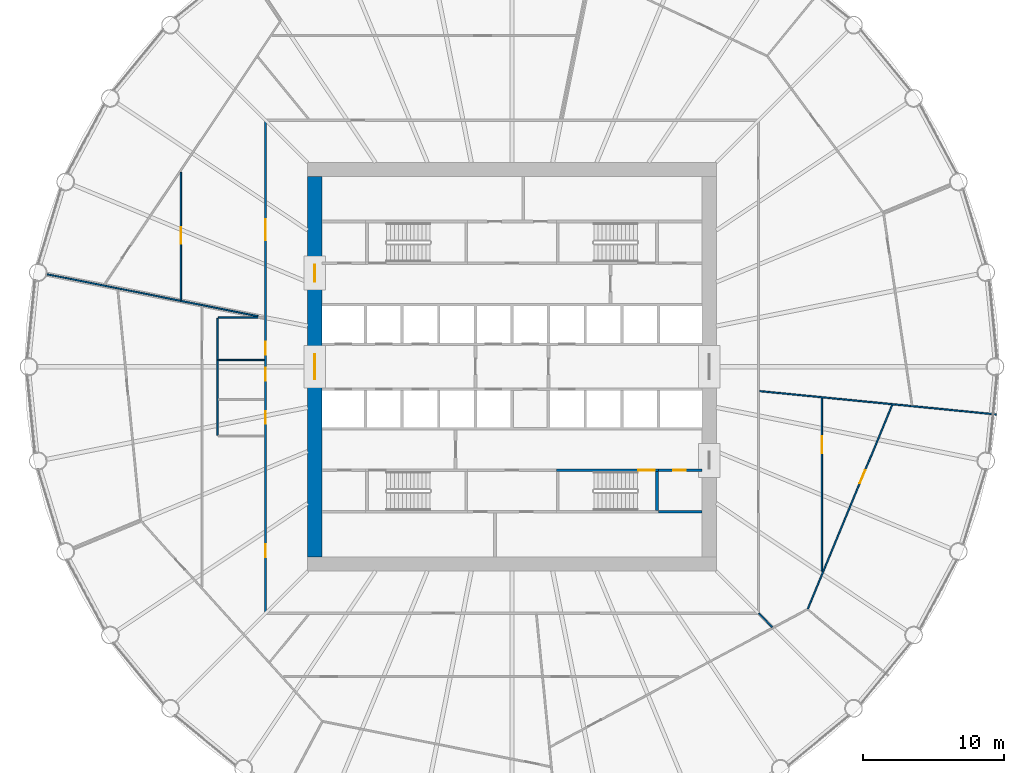
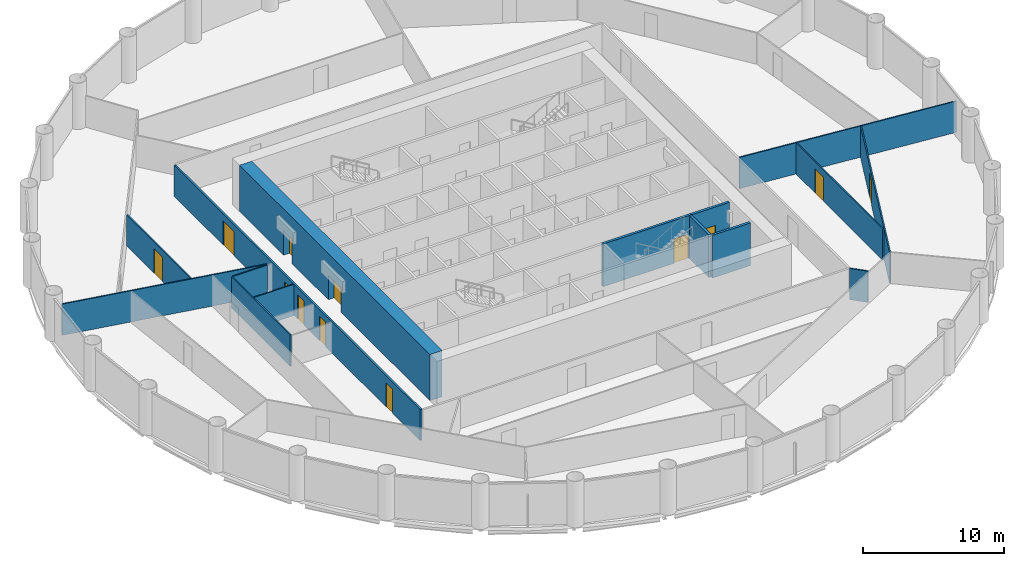
# One storey, part 5 of 9: 15 walls, 12 doors, 12 openings.
"""IFC4 building model written with IfcOpenShell, lengths in metres."""

import ifcopenshell
import ifcopenshell.guid

model = None  # the IFC model being written
_history = None  # IfcOwnerHistory: only IFC2X3 demands one
_inside = {}  # id of a spatial element -> (the spatial element, [elements in it])
_under = {}  # id of a project, library or spatial element -> (it, [spatial elements below it])
_declared = {}  # id of a project -> (the project, [libraries it declares])
_typed = {}  # id of a type object -> (the type object, [elements of that type])
_made_of = {}  # id of a material, layer set ... -> (it, [elements and type objects made of it])


def new_model(schema):
    """Start an empty IFC model of exactly this schema.

    Asked for "IFC4X3", IfcOpenShell would pick the latest addendum, in which some entities
    have other attributes; the version numbers below select the first issue.
    IFC2X3 requires an IfcOwnerHistory on every rooted entity: one is made here for all.
    """
    global model, _history
    if schema == "IFC4X3":
        model = ifcopenshell.file(schema_version=(4, 3, 0, 0))
    else:
        model = ifcopenshell.file(schema=schema)
    _inside.clear()
    _under.clear()
    _declared.clear()
    _typed.clear()
    _made_of.clear()
    _history = None
    if model.schema == "IFC2X3":
        org = make("IfcOrganization", Name="unknown")
        user = make(
            "IfcPersonAndOrganization",
            ThePerson=make("IfcPerson", FamilyName="unknown"),
            TheOrganization=org,
        )
        app = make(
            "IfcApplication",
            ApplicationDeveloper=org,
            Version="unknown",
            ApplicationFullName="unknown",
            ApplicationIdentifier="unknown",
        )
        _history = make(
            "IfcOwnerHistory",
            OwningUser=user,
            OwningApplication=app,
            ChangeAction="ADDED",
            CreationDate=0,
        )
    return model


def make(cls, **values):
    """One entity of the class cls with the attributes given. An attribute that is None is left unset."""
    return model.create_entity(
        cls, **{name: value for name, value in values.items() if value is not None}
    )


def rooted(cls, **values):
    """An entity with a GlobalId (a new one), such as an element, a storey or a relation."""
    return make(cls, GlobalId=ifcopenshell.guid.new(), OwnerHistory=_history, **values)


def si_unit(unit_type, name, prefix=None):
    """IfcSIUnit, for example si_unit("LENGTHUNIT", "METRE", prefix="MILLI")."""
    return make("IfcSIUnit", UnitType=unit_type, Prefix=prefix, Name=name)


def assignment(units):
    """IfcUnitAssignment: the units of a project."""
    return None if units is None else make("IfcUnitAssignment", Units=units)


def point(xyz):
    """IfcCartesianPoint."""
    return None if xyz is None else make("IfcCartesianPoint", Coordinates=xyz)


def direction(xyz):
    """IfcDirection."""
    return None if xyz is None else make("IfcDirection", DirectionRatios=xyz)


def frame(location, z_axis=None, x_axis=None):
    """IfcAxis2Placement3D, a coordinate frame: its origin and axes. An axis left out is left unset."""
    return make(
        "IfcAxis2Placement3D",
        Location=point(location),
        Axis=direction(z_axis),
        RefDirection=direction(x_axis),
    )


def frame_2d(location, x_axis=None):
    """IfcAxis2Placement2D, a coordinate frame in the plane: its origin and x axis."""
    return make(
        "IfcAxis2Placement2D", Location=point(location), RefDirection=direction(x_axis)
    )


def origin():
    """The frame at (0, 0, 0) with its axes left unset."""
    return frame((0.0, 0.0, 0.0))


def place(relative_to, where):
    """IfcLocalPlacement: puts the frame where relative to a parent placement (None: the world)."""
    return make(
        "IfcLocalPlacement", PlacementRelTo=relative_to, RelativePlacement=where
    )


def context(
    kind, dimensions, precision=None, world=None, true_north=None, identifier=None
):
    """IfcGeometricRepresentationContext, for example the 3D "Model" context."""
    return make(
        "IfcGeometricRepresentationContext",
        ContextIdentifier=identifier,
        ContextType=kind,
        CoordinateSpaceDimension=dimensions,
        Precision=precision,
        WorldCoordinateSystem=world,
        TrueNorth=true_north,
    )


def subcontext(parent, identifier, kind, view, scale=None):
    """IfcGeometricRepresentationSubContext, for example "Body" below "Model"."""
    return make(
        "IfcGeometricRepresentationSubContext",
        ContextIdentifier=identifier,
        ContextType=kind,
        ParentContext=parent,
        TargetScale=scale,
        TargetView=view,
    )


def project(units=None, contexts=None):
    """IfcProject with its units and contexts."""
    return rooted(
        "IfcProject",
        Name="project",
        RepresentationContexts=contexts,
        UnitsInContext=assignment(units),
    )


def spatial(cls, under=None, at=None, **own):
    """A site, building, storey or space (cls), placed at a placement, below another one or the project."""
    s = rooted(cls, ObjectPlacement=at, **own)
    if under is not None:
        _under.setdefault(under.id(), (under, []))[1].append(s)
    return s


def polyline(points):
    """IfcPolyline through the points."""
    return make("IfcPolyline", Points=[point(p) for p in points])


def profile(cls, at=None, kind="AREA", **sizes):
    """A parametric profile (cls). Its sizes go by their IFC names, for example OverallWidth=200.0."""
    return make(cls, ProfileType=kind, Position=at, **sizes)


def rectangle(**sizes):
    """IfcRectangleProfileDef."""
    return profile("IfcRectangleProfileDef", **sizes)


def outline(outer, holes=None, kind="AREA"):
    """IfcArbitraryClosedProfileDef: a profile drawn as a closed curve; with holes, ...WithVoids."""
    if holes is None:
        return make("IfcArbitraryClosedProfileDef", ProfileType=kind, OuterCurve=outer)
    return make(
        "IfcArbitraryProfileDefWithVoids",
        ProfileType=kind,
        OuterCurve=outer,
        InnerCurves=holes,
    )


def extrude(swept, where, along, depth):
    """IfcExtrudedAreaSolid: the profile swept, set in the frame where, extruded along a direction by depth."""
    return make(
        "IfcExtrudedAreaSolid",
        SweptArea=swept,
        Position=where,
        ExtrudedDirection=direction(along),
        Depth=depth,
    )


def shape(context_of_items, identifier, shape_type, items):
    """IfcShapeRepresentation: the items that make up one representation, for example the "Body"."""
    return make(
        "IfcShapeRepresentation",
        ContextOfItems=context_of_items,
        RepresentationIdentifier=identifier,
        RepresentationType=shape_type,
        Items=items,
    )


def material(Name=None, Category=None):
    """IfcMaterial."""
    return make("IfcMaterial", Name=Name, Category=Category)


def layer(
    of_material, thickness, ventilated=None, Name=None, Category=None, Priority=None
):
    """IfcMaterialLayer: one layer of a wall or slab, of a material (None: an air gap)."""
    return make(
        "IfcMaterialLayer",
        Material=of_material,
        LayerThickness=thickness,
        IsVentilated=ventilated,
        Name=Name,
        Category=Category,
        Priority=Priority,
    )


def layer_set(layers, Name=None):
    """IfcMaterialLayerSet."""
    return make("IfcMaterialLayerSet", MaterialLayers=layers, LayerSetName=Name)


def made_of(thing, what):
    """Note that an element or type object is made of a material, layer set ...; save() writes the relation."""
    if what is not None:
        _made_of.setdefault(what.id(), (what, []))[1].append(thing)
    return thing


def type_object(cls, material=None, **own):
    """A type object (cls), such as IfcWallType, which elements share."""
    return made_of(rooted(cls, **own), material)


def element(
    cls,
    number,
    at=None,
    inside=None,
    cuts=None,
    type_object=None,
    material=None,
    context=None,
    identifier="Body",
    shape_type=None,
    held_by="IfcProductDefinitionShape",
    body=None,
    shapes=None,
    **own,
):
    """One element of the class cls, such as IfcWall. Its Tag is "e" and its number.

    at: its placement. inside: the storey or other place that contains it. cuts: it is an
    opening in that element (IfcRelVoidsElement). A single representation is given by context,
    identifier, shape_type and body (its items); several are given by shapes. held_by: the class
    of the entity that holds the representations. save() writes the other relations.
    """
    e = rooted(cls, Tag="e%d" % number, ObjectPlacement=at, **own)
    if body is not None:
        shapes = [shape(context, identifier, shape_type, body)]
    if shapes is not None:
        e.Representation = make(held_by, Representations=shapes)
    if inside is not None:
        _inside.setdefault(inside.id(), (inside, []))[1].append(e)
    if cuts is not None:
        rooted(
            "IfcRelVoidsElement", RelatingBuildingElement=cuts, RelatedOpeningElement=e
        )
    if type_object is not None:
        _typed.setdefault(type_object.id(), (type_object, []))[1].append(e)
    return made_of(e, material)


def fill(opening, filler):
    """IfcRelFillsElement: the door or window that sits in an opening."""
    return rooted(
        "IfcRelFillsElement",
        RelatingOpeningElement=opening,
        RelatedBuildingElement=filler,
    )


def aggregate(whole, parts):
    """IfcRelAggregates: a whole, such as a stair, and the parts it consists of."""
    return rooted("IfcRelAggregates", RelatingObject=whole, RelatedObjects=parts)


def save(model, path):
    """Write the relations noted so far, then the file.

    IfcRelAggregates (storeys below a building ...), IfcRelContainedInSpatialStructure (elements
    in a storey), IfcRelDefinesByType, IfcRelAssociatesMaterial and IfcRelDeclares: one each for
    every whole, place, type object, material and project.
    """
    for whole, parts in _under.values():
        aggregate(whole, parts)
    for where, things in _inside.values():
        rooted(
            "IfcRelContainedInSpatialStructure",
            RelatedElements=things,
            RelatingStructure=where,
        )
    for kind, things in _typed.values():
        rooted("IfcRelDefinesByType", RelatedObjects=things, RelatingType=kind)
    for what, things in _made_of.values():
        rooted("IfcRelAssociatesMaterial", RelatedObjects=things, RelatingMaterial=what)
    for by, libraries in _declared.values():
        rooted("IfcRelDeclares", RelatingContext=by, RelatedDefinitions=libraries)
    model.write(path)


model = new_model("IFC4")

# Units and contexts
model_context = context("Model", 3, precision=1e-05, world=origin(), true_north=direction((0.0, 1.0)))
body_context = subcontext(model_context, "Body", "Model", "MODEL_VIEW")
ifc_project = project(units=[si_unit("LENGTHUNIT", "METRE"), si_unit("AREAUNIT", "SQUARE_METRE"), si_unit("VOLUMEUNIT", "CUBIC_METRE"), si_unit("PLANEANGLEUNIT", "RADIAN"), si_unit("MASSUNIT", "GRAM", prefix="KILO")], contexts=[model_context])

# Site, building, storey
site_placement = place(None, origin())
site = spatial("IfcSite", under=ifc_project, at=site_placement, CompositionType="ELEMENT")
building_placement = place(site_placement, origin())
building = spatial("IfcBuilding", under=site, at=building_placement, Name="Corvane Civic Tower", CompositionType="ELEMENT")
storey_placement = place(building_placement, frame((0.0, 0.0, 102.5)))
storey = spatial("IfcBuildingStorey", under=building, at=storey_placement, Name="L23", CompositionType="ELEMENT", Elevation=102.5)

# Wall, openings, doors
ifc_material_1 = material(Name="Concrete C70/85", Category="concrete")
ifc_layer_1 = layer(ifc_material_1, 1.0)
ifc_layer_set_1 = layer_set([ifc_layer_1], Name="Concrete C70/85")
wall_type_1 = type_object("IfcWallType", Name="CORE WALL 1000 C70/85", PredefinedType="SHEAR", material=ifc_layer_set_1)
wall_1_placement = place(storey_placement, frame((-14.0, -13.5, 0.0), z_axis=(0.0, 0.0, 1.0), x_axis=(0.0, 1.0, 0.0)))
wall_1 = element("IfcWall", 1, at=wall_1_placement, inside=storey, type_object=wall_type_1, Name="W-L23-core-W", PredefinedType="SHEAR", context=body_context, shape_type="SweptSolid", body=[
    extrude(rectangle(XDim=27.0, YDim=1.0, at=frame_2d((13.5, 0.0))), origin(), (0.0, 0.0, 1.0), 4.0),
])
opening_1_placement = place(wall_1_placement, frame((12.60009765625, 0.0, 0.0)))
opening_1 = element("IfcOpeningElement", 2, at=opening_1_placement, cuts=wall_1, Name="Opening L23.C20", PredefinedType="OPENING", context=body_context, shape_type="SweptSolid", body=[
    extrude(rectangle(XDim=1.800048828125, YDim=2.10009765625, at=frame_2d((0.89990234375, 1.050048828125))), frame((0.0, 0.510009765625, 0.0), z_axis=(0.0, -1.0, 0.0), x_axis=(1.0, 0.0, 0.0)), (0.0, 0.0, 1.0), 1.02001953125),
])
opening_2_placement = place(wall_1_placement, frame((19.550048828125, 0.0, 0.0)))
opening_2 = element("IfcOpeningElement", 3, at=opening_2_placement, cuts=wall_1, Name="Opening L23.C22", PredefinedType="OPENING", context=body_context, shape_type="SweptSolid", body=[
    extrude(rectangle(XDim=1.199951171875, YDim=2.10009765625, at=frame_2d((0.60009765625, 1.050048828125))), frame((0.0, 0.510009765625, 0.0), z_axis=(0.0, -1.0, 0.0), x_axis=(1.0, 0.0, 0.0)), (0.0, 0.0, 1.0), 1.02001953125),
])
ifc_material_2 = material(Name="Steel fire door leaf", Category="steel")
door_type_1 = type_object("IfcDoorType", Name="CR-DOOR-CORE-1800", OperationType="DOUBLE_DOOR_SINGLE_SWING", PredefinedType="DOOR", material=ifc_material_2)
door_1_placement = place(opening_1_placement, origin())
door_1 = element("IfcDoor", 4, at=door_1_placement, inside=storey, type_object=door_type_1, Name="L23 door", OperationType="DOUBLE_DOOR_SINGLE_SWING", OverallHeight=2.10009765625, OverallWidth=1.800048828125, PredefinedType="DOOR", context=body_context, shape_type="SweptSolid", body=[
    extrude(rectangle(XDim=1.800048828125, YDim=2.10009765625, at=frame_2d((0.89990234375, 1.050048828125))), frame((0.0, 0.02490234375, 0.0), z_axis=(0.0, -1.0, 0.0), x_axis=(1.0, 0.0, 0.0)), (0.0, 0.0, 1.0), 0.050048828125),
])
fill(opening_1, door_1)
door_2_placement = place(opening_2_placement, origin())
door_2 = element("IfcDoor", 5, at=door_2_placement, inside=storey, type_object=door_type_1, Name="L23 door", OperationType="DOUBLE_DOOR_SINGLE_SWING", OverallHeight=2.10009765625, OverallWidth=1.199951171875, PredefinedType="DOOR", context=body_context, shape_type="SweptSolid", body=[
    extrude(rectangle(XDim=1.199951171875, YDim=2.10009765625, at=frame_2d((0.60009765625, 1.050048828125))), frame((0.0, 0.02490234375, 0.0), z_axis=(0.0, -1.0, 0.0), x_axis=(1.0, 0.0, 0.0)), (0.0, 0.0, 1.0), 0.050048828125),
])
fill(opening_2, door_2)

# Wall, opening, door
ifc_material_3 = material(Name="Concrete C30/37", Category="concrete")
ifc_layer_2 = layer(ifc_material_3, 0.199951171875)
ifc_layer_set_2 = layer_set([ifc_layer_2], Name="Concrete C30/37")
wall_type_2 = type_object("IfcWallType", Name="CR-WALL-200", PredefinedType="PARTITIONING", material=ifc_layer_set_2)
wall_2_placement = place(storey_placement, frame((10.39990234375, -7.35009765625, 0.0), z_axis=(0.0, 0.0, 1.0), x_axis=(1.0, 0.0, 0.0)))
wall_2 = element("IfcWall", 6, at=wall_2_placement, inside=storey, type_object=wall_type_2, Name="L23 core partition wall", PredefinedType="PARTITIONING", context=body_context, shape_type="SweptSolid", body=[
    extrude(rectangle(XDim=3.10009765625, YDim=0.199951171875, at=frame_2d((1.550048828125, 0.0))), origin(), (0.0, 0.0, 1.0), 3.699951171875),
])
opening_3_placement = place(wall_2_placement, frame((1.050048828125, 0.0, 0.0)))
opening_3 = element("IfcOpeningElement", 7, at=opening_3_placement, cuts=wall_2, Name="Opening L23.C11", PredefinedType="OPENING", context=body_context, shape_type="SweptSolid", body=[
    extrude(rectangle(XDim=0.89990234375, YDim=2.10009765625, at=frame_2d((0.449951171875, 1.050048828125))), frame((0.0, 0.10986328125, 0.0), z_axis=(0.0, -1.0, 0.0), x_axis=(1.0, 0.0, 0.0)), (0.0, 0.0, 1.0), 0.219970703125),
])
ifc_material_4 = material(Name="Steel fire door leaf", Category="steel")
door_type_2 = type_object("IfcDoorType", Name="CR-DOOR-900", OperationType="SINGLE_SWING_LEFT", PredefinedType="DOOR", material=ifc_material_4)
door_3_placement = place(opening_3_placement, origin())
door_3 = element("IfcDoor", 8, at=door_3_placement, inside=storey, type_object=door_type_2, Name="L23 door", OperationType="SINGLE_SWING_LEFT", OverallHeight=2.10009765625, OverallWidth=0.89990234375, PredefinedType="DOOR", context=body_context, shape_type="SweptSolid", body=[
    extrude(rectangle(XDim=0.89990234375, YDim=2.10009765625, at=frame_2d((0.449951171875, 1.050048828125))), frame((0.0, 0.02490234375, 0.0), z_axis=(0.0, -1.0, 0.0), x_axis=(1.0, 0.0, 0.0)), (0.0, 0.0, 1.0), 0.050048828125),
])
fill(opening_3, door_3)

# Walls
wall_3_placement = place(storey_placement, origin())
element("IfcWall", 9, at=wall_3_placement, inside=storey, type_object=wall_type_2, Name="L23 core partition wall", PredefinedType="PARTITIONING", context=body_context, shape_type="SweptSolid", body=[
    extrude(outline(polyline([(13.5, -10.39990234375), (10.39990234375, -10.39990234375), (10.39990234375, -10.199951171875), (13.5, -10.199951171875), (13.5, -10.39990234375)])), origin(), (0.0, 0.0, 1.0), 3.699951171875),
])
ifc_material_5 = material(Name="Plasterboard")
ifc_layer_3 = layer(ifc_material_5, 0.10009765625)
ifc_layer_set_3 = layer_set([ifc_layer_3], Name="Plasterboard")
wall_type_3 = type_object("IfcWallType", Name="Partition 100 plasterboard on studs", PredefinedType="PARTITIONING", material=ifc_layer_set_3)
wall_4_placement = place(storey_placement, frame((17.5146484375, -17.5146484375, 0.0), z_axis=(0.0, 0.0, 1.0), x_axis=(0.707106781187, -0.707106781187, 0.0)))
element("IfcWall", 10, at=wall_4_placement, inside=storey, type_object=wall_type_3, Name="Partition L23.010", PredefinedType="PARTITIONING", context=body_context, shape_type="SweptSolid", body=[
    extrude(rectangle(XDim=1.366943359375, YDim=0.10009765625, at=frame_2d((0.68359375, 0.0))), origin(), (0.0, 0.0, 1.0), 2.699951171875),
])

# Wall, opening, door
wall_5_placement = place(storey_placement, frame((20.994873046875, -17.18408203125, 0.0), z_axis=(0.0, 0.0, 1.0), x_axis=(0.382676427665, 0.923882433922, 0.0)))
wall_5 = element("IfcWall", 11, at=wall_5_placement, inside=storey, type_object=wall_type_3, Name="Partition L23.014", PredefinedType="PARTITIONING", context=body_context, shape_type="SweptSolid", body=[
    extrude(rectangle(XDim=15.65283203125, YDim=0.10009765625, at=frame_2d((7.826416015625, 0.0))), origin(), (0.0, 0.0, 1.0), 2.699951171875),
])
opening_4_placement = place(wall_5_placement, frame((9.652587890625, 0.0, 0.0)))
opening_4 = element("IfcOpeningElement", 12, at=opening_4_placement, cuts=wall_5, Name="Opening L23.005", PredefinedType="OPENING", context=body_context, shape_type="SweptSolid", body=[
    extrude(rectangle(XDim=1.0, YDim=2.10009765625, at=frame_2d((0.5, 1.050048828125))), frame((0.0, 0.06005859375, 0.0), z_axis=(0.0, -1.0, 0.0), x_axis=(1.0, 0.0, 0.0)), (0.0, 0.0, 1.0), 0.1201171875),
])
ifc_material_6 = material(Name="Timber", Category="wood")
door_type_3 = type_object("IfcDoorType", Name="Single door 1000", OperationType="NOTDEFINED", PredefinedType="DOOR", material=ifc_material_6)
door_4_placement = place(opening_4_placement, frame((1.0, 0.0, 0.0), z_axis=(0.0, 0.0, 1.0), x_axis=(-1.0, 0.0, 0.0)))
door_4 = element("IfcDoor", 13, at=door_4_placement, inside=storey, type_object=door_type_3, Name="Door L23.005", OperationType="SINGLE_SWING_RIGHT", OverallHeight=2.10009765625, OverallWidth=1.0, PredefinedType="DOOR", context=body_context, shape_type="SweptSolid", body=[
    extrude(rectangle(XDim=1.0, YDim=2.10009765625, at=frame_2d((0.5, 1.050048828125))), frame((0.0, 0.02490234375, 0.0), z_axis=(0.0, -1.0, 0.0), x_axis=(1.0, 0.0, 0.0)), (0.0, 0.0, 1.0), 0.050048828125),
])
fill(opening_4, door_4)

wall_6_placement = place(storey_placement, frame((22.0, -14.505859375, 0.0), z_axis=(0.0, 0.0, 1.0), x_axis=(0.0, 1.0, 0.0)))
wall_6 = element("IfcWall", 14, at=wall_6_placement, inside=storey, type_object=wall_type_3, Name="Partition L23.016", PredefinedType="PARTITIONING", context=body_context, shape_type="SweptSolid", body=[
    extrude(rectangle(XDim=12.283935546875, YDim=0.10009765625, at=frame_2d((6.14208984375, 0.0))), origin(), (0.0, 0.0, 1.0), 2.699951171875),
])
opening_5_placement = place(wall_6_placement, frame((8.37890625, 0.0, 0.0)))
opening_5 = element("IfcOpeningElement", 15, at=opening_5_placement, cuts=wall_6, Name="Opening L23.008", PredefinedType="OPENING", context=body_context, shape_type="SweptSolid", body=[
    extrude(rectangle(XDim=1.199951171875, YDim=2.10009765625, at=frame_2d((0.60009765625, 1.050048828125))), frame((0.0, 0.06005859375, 0.0), z_axis=(0.0, -1.0, 0.0), x_axis=(1.0, 0.0, 0.0)), (0.0, 0.0, 1.0), 0.1201171875),
])
ifc_material_7 = material(Name="Timber", Category="wood")
door_type_4 = type_object("IfcDoorType", Name="Double door 1200", OperationType="NOTDEFINED", PredefinedType="DOOR", material=ifc_material_7)
door_5_placement = place(opening_5_placement, frame((1.199951171875, 0.0, 0.0), z_axis=(0.0, 0.0, 1.0), x_axis=(-1.0, 0.0, 0.0)))
door_5 = element("IfcDoor", 16, at=door_5_placement, inside=storey, type_object=door_type_4, Name="Door L23.008", OperationType="DOUBLE_DOOR_SINGLE_SWING", OverallHeight=2.10009765625, OverallWidth=1.199951171875, PredefinedType="DOOR", context=body_context, shape_type="SweptSolid", body=[
    extrude(rectangle(XDim=1.199951171875, YDim=2.10009765625, at=frame_2d((0.60009765625, 1.050048828125))), frame((0.0, 0.02490234375, 0.0), z_axis=(0.0, -1.0, 0.0), x_axis=(1.0, 0.0, 0.0)), (0.0, 0.0, 1.0), 0.050048828125),
])
fill(opening_5, door_5)

# Walls
wall_7_placement = place(storey_placement, frame((-20.89990234375, -4.868896484375, 0.0), z_axis=(0.0, 0.0, 1.0), x_axis=(0.0, 1.0, 0.0)))
element("IfcWall", 17, at=wall_7_placement, inside=storey, type_object=wall_type_3, Name="Partition L23.020", PredefinedType="PARTITIONING", context=body_context, shape_type="SweptSolid", body=[
    extrude(rectangle(XDim=8.2998046875, YDim=0.10009765625, at=frame_2d((4.14990234375, 0.0))), origin(), (0.0, 0.0, 1.0), 2.699951171875),
])
wall_8_placement = place(storey_placement, frame((17.579833984375, -1.7314453125, 0.0), z_axis=(0.0, 0.0, 1.0), x_axis=(0.995184818067, -0.098016212377, 0.0)))
element("IfcWall", 18, at=wall_8_placement, inside=storey, type_object=wall_type_3, Name="Partition L23.021", PredefinedType="PARTITIONING", context=body_context, shape_type="SweptSolid", body=[
    extrude(rectangle(XDim=16.88525390625, YDim=0.10009765625, at=frame_2d((8.442626953125, 0.0))), origin(), (0.0, 0.0, 1.0), 2.699951171875),
])
wall_9_placement = place(storey_placement, frame((-20.85009765625, 0.48095703125, 0.0), z_axis=(0.0, 0.0, 1.0), x_axis=(1.0, 0.0, 0.0)))
element("IfcWall", 19, at=wall_9_placement, inside=storey, type_object=wall_type_3, Name="Partition L23.024", PredefinedType="PARTITIONING", context=body_context, shape_type="SweptSolid", body=[
    extrude(rectangle(XDim=3.275146484375, YDim=0.10009765625, at=frame_2d((1.6376953125, 0.0))), origin(), (0.0, 0.0, 1.0), 2.699951171875),
])
wall_10_placement = place(storey_placement, frame((-20.85009765625, 3.48095703125, 0.0), z_axis=(0.0, 0.0, 1.0), x_axis=(1.0, 0.0, 0.0)))
element("IfcWall", 20, at=wall_10_placement, inside=storey, type_object=wall_type_3, Name="Partition L23.025", PredefinedType="PARTITIONING", context=body_context, shape_type="SweptSolid", body=[
    extrude(rectangle(XDim=2.84228515625, YDim=0.10009765625, at=frame_2d((1.421142578125, 0.0))), origin(), (0.0, 0.0, 1.0), 2.699951171875),
])
wall_11_placement = place(storey_placement, frame((-33.01806640625, 6.567626953125, 0.0), z_axis=(0.0, 0.0, 1.0), x_axis=(0.980787371588, -0.195079808626, 0.0)))
element("IfcWall", 21, at=wall_11_placement, inside=storey, type_object=wall_type_3, Name="Partition L23.026", PredefinedType="PARTITIONING", context=body_context, shape_type="SweptSolid", body=[
    extrude(rectangle(XDim=15.314453125, YDim=0.10009765625, at=frame_2d((7.6572265625, 0.0))), origin(), (0.0, 0.0, 1.0), 2.699951171875),
])

# Wall, opening, door
wall_12_placement = place(storey_placement, frame((-23.5, 4.7353515625, 0.0), z_axis=(0.0, 0.0, 1.0), x_axis=(0.0, 1.0, 0.0)))
wall_12 = element("IfcWall", 22, at=wall_12_placement, inside=storey, type_object=wall_type_3, Name="Partition L23.027", PredefinedType="PARTITIONING", context=body_context, shape_type="SweptSolid", body=[
    extrude(rectangle(XDim=9.059814453125, YDim=0.10009765625, at=frame_2d((4.52978515625, 0.0))), origin(), (0.0, 0.0, 1.0), 2.699951171875),
])
opening_6_placement = place(wall_12_placement, frame((3.981689453125, 0.0, 0.0)))
opening_6 = element("IfcOpeningElement", 23, at=opening_6_placement, cuts=wall_12, Name="Opening L23.022", PredefinedType="OPENING", context=body_context, shape_type="SweptSolid", body=[
    extrude(rectangle(XDim=1.199951171875, YDim=2.10009765625, at=frame_2d((0.60009765625, 1.050048828125))), frame((0.0, 0.06005859375, 0.0), z_axis=(0.0, -1.0, 0.0), x_axis=(1.0, 0.0, 0.0)), (0.0, 0.0, 1.0), 0.1201171875),
])
door_6_placement = place(opening_6_placement, origin())
door_6 = element("IfcDoor", 24, at=door_6_placement, inside=storey, type_object=door_type_4, Name="Door L23.022", OperationType="DOUBLE_DOOR_SINGLE_SWING", OverallHeight=2.10009765625, OverallWidth=1.199951171875, PredefinedType="DOOR", context=body_context, shape_type="SweptSolid", body=[
    extrude(rectangle(XDim=1.199951171875, YDim=2.10009765625, at=frame_2d((0.60009765625, 1.050048828125))), frame((0.0, 0.02490234375, 0.0), z_axis=(0.0, -1.0, 0.0), x_axis=(1.0, 0.0, 0.0)), (0.0, 0.0, 1.0), 0.050048828125),
])
fill(opening_6, door_6)

ifc_material_8 = material(Name="Concrete C50/60", Category="concrete")
ifc_layer_4 = layer(ifc_material_8, 0.199951171875)
ifc_layer_set_4 = layer_set([ifc_layer_4], Name="Concrete C50/60")
wall_type_4 = type_object("IfcWallType", Name="ST-WALL-200", PredefinedType="SHEAR", material=ifc_layer_set_4)
wall_13_placement = place(storey_placement, frame((3.14990234375, -7.35009765625, 0.0), z_axis=(0.0, 0.0, 1.0), x_axis=(1.0, 0.0, 0.0)))
wall_13 = element("IfcWall", 25, at=wall_13_placement, inside=storey, type_object=wall_type_4, Name="L23 stair enclosure wall", PredefinedType="SHEAR", context=body_context, shape_type="SweptSolid", body=[
    extrude(rectangle(XDim=7.25, YDim=0.199951171875, at=frame_2d((3.625, 0.0))), origin(), (0.0, 0.0, 1.0), 3.699951171875),
])
opening_7_placement = place(wall_13_placement, frame((5.800048828125, 0.0, 0.0)))
opening_7 = element("IfcOpeningElement", 26, at=opening_7_placement, cuts=wall_13, Name="Opening L23.C14", PredefinedType="OPENING", context=body_context, shape_type="SweptSolid", body=[
    extrude(rectangle(XDim=1.199951171875, YDim=2.10009765625, at=frame_2d((0.60009765625, 1.050048828125))), frame((0.0, 0.10986328125, 0.0), z_axis=(0.0, -1.0, 0.0), x_axis=(1.0, 0.0, 0.0)), (0.0, 0.0, 1.0), 0.219970703125),
])
ifc_material_9 = material(Name="Steel fire door leaf", Category="steel")
door_type_5 = type_object("IfcDoorType", Name="ST-DOOR-1200", OperationType="SINGLE_SWING_RIGHT", PredefinedType="DOOR", material=ifc_material_9)
door_7_placement = place(opening_7_placement, origin())
door_7 = element("IfcDoor", 27, at=door_7_placement, inside=storey, type_object=door_type_5, Name="L23 stair door", OperationType="SINGLE_SWING_RIGHT", OverallHeight=2.10009765625, OverallWidth=1.199951171875, PredefinedType="DOOR", context=body_context, shape_type="SweptSolid", body=[
    extrude(rectangle(XDim=1.199951171875, YDim=2.10009765625, at=frame_2d((0.60009765625, 1.050048828125))), frame((0.0, 0.02490234375, 0.0), z_axis=(0.0, -1.0, 0.0), x_axis=(1.0, 0.0, 0.0)), (0.0, 0.0, 1.0), 0.050048828125),
])
fill(opening_7, door_7)

# Wall
wall_14_placement = place(storey_placement, origin())
element("IfcWall", 28, at=wall_14_placement, inside=storey, type_object=wall_type_4, Name="L23 stair enclosure wall", PredefinedType="SHEAR", context=body_context, shape_type="SweptSolid", body=[
    extrude(outline(polyline([(10.39990234375, -7.449951171875), (10.39990234375, -10.199951171875), (10.199951171875, -10.199951171875), (10.199951171875, -7.449951171875), (10.39990234375, -7.449951171875)])), origin(), (0.0, 0.0, 1.0), 3.699951171875),
])

# Wall, openings, doors
ifc_material_10 = material(Name="Plasterboard")
ifc_layer_5 = layer(ifc_material_10, 0.14990234375)
ifc_layer_set_5 = layer_set([ifc_layer_5], Name="Plasterboard")
wall_type_5 = type_object("IfcWallType", Name="Tenancy wall 150 EI 60", PredefinedType="PARTITIONING", material=ifc_layer_set_5)
wall_15_placement = place(storey_placement, frame((-17.5, -17.425048828125, 0.0), z_axis=(0.0, 0.0, 1.0), x_axis=(0.0, 1.0, 0.0)))
wall_15 = element("IfcWall", 29, at=wall_15_placement, inside=storey, type_object=wall_type_5, Name="Partition L23.012", PredefinedType="PARTITIONING", context=body_context, shape_type="SweptSolid", body=[
    extrude(rectangle(XDim=34.85009765625, YDim=0.14990234375, at=frame_2d((17.425048828125, 0.0))), origin(), (0.0, 0.0, 1.0), 2.699951171875),
])
opening_8_placement = place(wall_15_placement, frame((3.91796875, 0.0, 0.0)))
opening_8 = element("IfcOpeningElement", 30, at=opening_8_placement, cuts=wall_15, Name="Opening L23.017", PredefinedType="OPENING", context=body_context, shape_type="SweptSolid", body=[
    extrude(rectangle(XDim=0.89990234375, YDim=2.10009765625, at=frame_2d((0.449951171875, 1.050048828125))), frame((0.0, 0.0849609375, 0.0), z_axis=(0.0, -1.0, 0.0), x_axis=(1.0, 0.0, 0.0)), (0.0, 0.0, 1.0), 0.169921875),
])
opening_9_placement = place(wall_15_placement, frame((18.290283203125, 0.0, 0.0)))
opening_9 = element("IfcOpeningElement", 31, at=opening_9_placement, cuts=wall_15, Name="Opening L23.018", PredefinedType="OPENING", context=body_context, shape_type="SweptSolid", body=[
    extrude(rectangle(XDim=0.89990234375, YDim=2.10009765625, at=frame_2d((0.449951171875, 1.050048828125))), frame((0.0, 0.0849609375, 0.0), z_axis=(0.0, -1.0, 0.0), x_axis=(1.0, 0.0, 0.0)), (0.0, 0.0, 1.0), 0.169921875),
])
opening_10_placement = place(wall_15_placement, frame((16.440185546875, 0.0, 0.0)))
opening_10 = element("IfcOpeningElement", 32, at=opening_10_placement, cuts=wall_15, Name="Opening L23.019", PredefinedType="OPENING", context=body_context, shape_type="SweptSolid", body=[
    extrude(rectangle(XDim=0.89990234375, YDim=2.10009765625, at=frame_2d((0.449951171875, 1.050048828125))), frame((0.0, 0.0849609375, 0.0), z_axis=(0.0, -1.0, 0.0), x_axis=(1.0, 0.0, 0.0)), (0.0, 0.0, 1.0), 0.169921875),
])
opening_11_placement = place(wall_15_placement, frame((13.37841796875, 0.0, 0.0)))
opening_11 = element("IfcOpeningElement", 33, at=opening_11_placement, cuts=wall_15, Name="Opening L23.020", PredefinedType="OPENING", context=body_context, shape_type="SweptSolid", body=[
    extrude(rectangle(XDim=0.89990234375, YDim=2.10009765625, at=frame_2d((0.449951171875, 1.050048828125))), frame((0.0, 0.0849609375, 0.0), z_axis=(0.0, -1.0, 0.0), x_axis=(1.0, 0.0, 0.0)), (0.0, 0.0, 1.0), 0.169921875),
])
opening_12_placement = place(wall_15_placement, frame((26.39697265625, 0.0, 0.0)))
opening_12 = element("IfcOpeningElement", 34, at=opening_12_placement, cuts=wall_15, Name="Opening L23.024", PredefinedType="OPENING", context=body_context, shape_type="SweptSolid", body=[
    extrude(rectangle(XDim=1.5, YDim=2.10009765625, at=frame_2d((0.75, 1.050048828125))), frame((0.0, 0.0849609375, 0.0), z_axis=(0.0, -1.0, 0.0), x_axis=(1.0, 0.0, 0.0)), (0.0, 0.0, 1.0), 0.169921875),
])
ifc_material_11 = material(Name="Steel and timber", Category="steel")
door_type_6 = type_object("IfcDoorType", Name="Fire door FD30S 900", OperationType="NOTDEFINED", PredefinedType="DOOR", material=ifc_material_11)
door_8_placement = place(opening_8_placement, origin())
door_8 = element("IfcDoor", 35, at=door_8_placement, inside=storey, type_object=door_type_6, Name="Door L23.017", OperationType="SINGLE_SWING_RIGHT", OverallHeight=2.10009765625, OverallWidth=0.89990234375, PredefinedType="DOOR", context=body_context, shape_type="SweptSolid", body=[
    extrude(rectangle(XDim=0.89990234375, YDim=2.10009765625, at=frame_2d((0.449951171875, 1.050048828125))), frame((0.0, 0.02490234375, 0.0), z_axis=(0.0, -1.0, 0.0), x_axis=(1.0, 0.0, 0.0)), (0.0, 0.0, 1.0), 0.050048828125),
])
fill(opening_8, door_8)
door_9_placement = place(opening_9_placement, origin())
door_9 = element("IfcDoor", 36, at=door_9_placement, inside=storey, type_object=door_type_6, Name="Door L23.018", OperationType="SINGLE_SWING_LEFT", OverallHeight=2.10009765625, OverallWidth=0.89990234375, PredefinedType="DOOR", context=body_context, shape_type="SweptSolid", body=[
    extrude(rectangle(XDim=0.89990234375, YDim=2.10009765625, at=frame_2d((0.449951171875, 1.050048828125))), frame((0.0, 0.02490234375, 0.0), z_axis=(0.0, -1.0, 0.0), x_axis=(1.0, 0.0, 0.0)), (0.0, 0.0, 1.0), 0.050048828125),
])
fill(opening_9, door_9)
door_10_placement = place(opening_10_placement, origin())
door_10 = element("IfcDoor", 37, at=door_10_placement, inside=storey, type_object=door_type_6, Name="Door L23.019", OperationType="SINGLE_SWING_LEFT", OverallHeight=2.10009765625, OverallWidth=0.89990234375, PredefinedType="DOOR", context=body_context, shape_type="SweptSolid", body=[
    extrude(rectangle(XDim=0.89990234375, YDim=2.10009765625, at=frame_2d((0.449951171875, 1.050048828125))), frame((0.0, 0.02490234375, 0.0), z_axis=(0.0, -1.0, 0.0), x_axis=(1.0, 0.0, 0.0)), (0.0, 0.0, 1.0), 0.050048828125),
])
fill(opening_10, door_10)
door_11_placement = place(opening_11_placement, origin())
door_11 = element("IfcDoor", 38, at=door_11_placement, inside=storey, type_object=door_type_6, Name="Door L23.020", OperationType="SINGLE_SWING_RIGHT", OverallHeight=2.10009765625, OverallWidth=0.89990234375, PredefinedType="DOOR", context=body_context, shape_type="SweptSolid", body=[
    extrude(rectangle(XDim=0.89990234375, YDim=2.10009765625, at=frame_2d((0.449951171875, 1.050048828125))), frame((0.0, 0.02490234375, 0.0), z_axis=(0.0, -1.0, 0.0), x_axis=(1.0, 0.0, 0.0)), (0.0, 0.0, 1.0), 0.050048828125),
])
fill(opening_11, door_11)
ifc_material_12 = material(Name="Steel and timber", Category="steel")
door_type_7 = type_object("IfcDoorType", Name="Fire door FD60 double 1500", OperationType="NOTDEFINED", PredefinedType="DOOR", material=ifc_material_12)
door_12_placement = place(opening_12_placement, origin())
door_12 = element("IfcDoor", 39, at=door_12_placement, inside=storey, type_object=door_type_7, Name="Door L23.024", OperationType="DOUBLE_DOOR_SINGLE_SWING", OverallHeight=2.10009765625, OverallWidth=1.5, PredefinedType="DOOR", context=body_context, shape_type="SweptSolid", body=[
    extrude(rectangle(XDim=1.5, YDim=2.10009765625, at=frame_2d((0.75, 1.050048828125))), frame((0.0, 0.02490234375, 0.0), z_axis=(0.0, -1.0, 0.0), x_axis=(1.0, 0.0, 0.0)), (0.0, 0.0, 1.0), 0.050048828125),
])
fill(opening_12, door_12)

save(model, "model.ifc")
